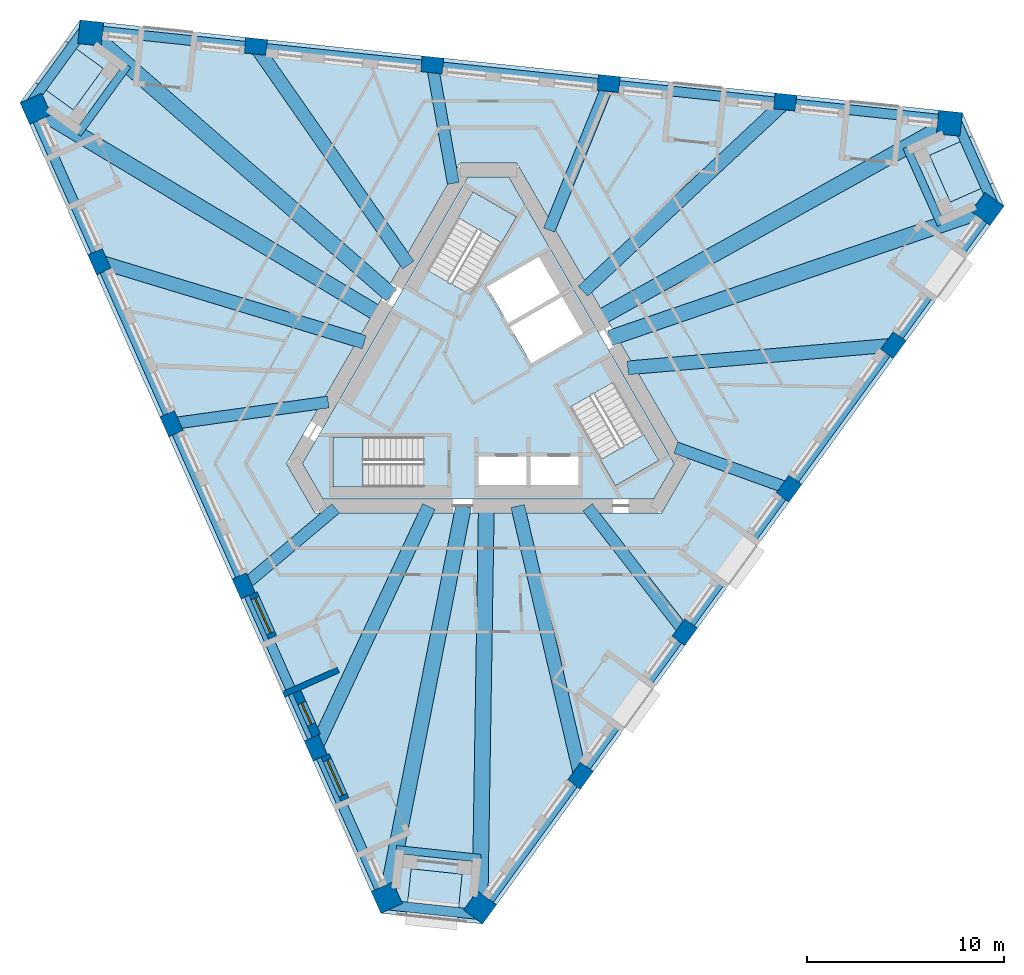
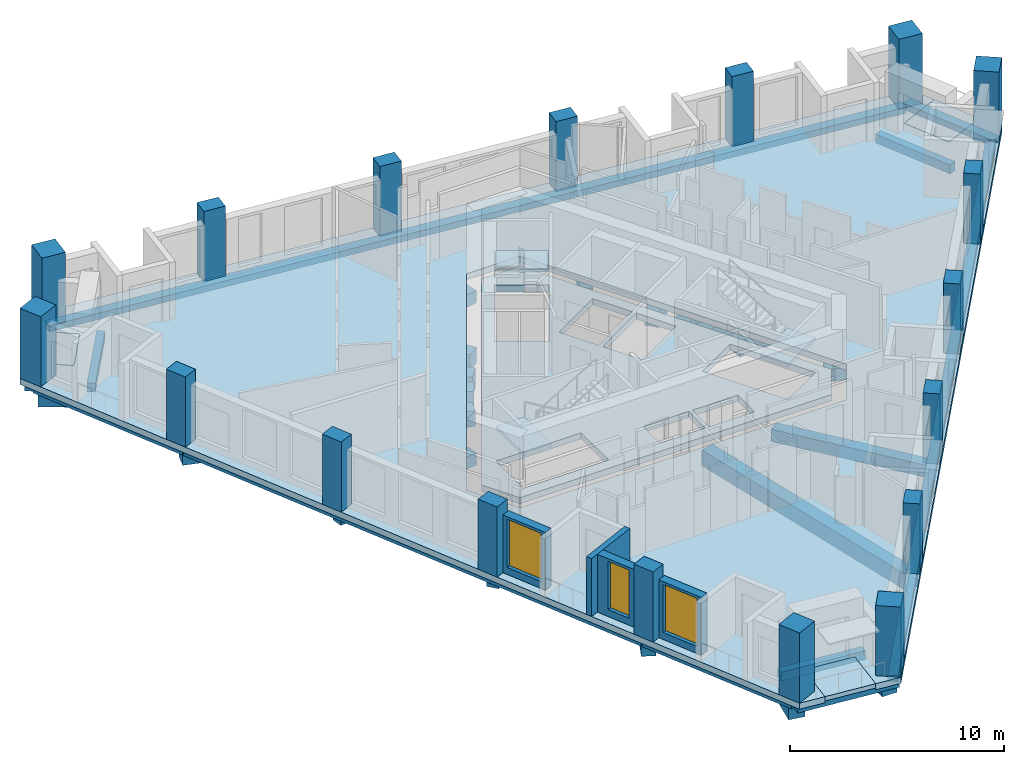
# One storey, part 1 of 11: 27 beams, 18 columns, 8 slabs, 4 walls, 3 windows, 3 openings, 3 elements without a shape of their own.
"""IFC4 building model written with IfcOpenShell, lengths in metres."""

from ifc_helpers import new_model, si_unit, direction, frame, frame_2d, origin, origin_2d, place, context, subcontext, project, spatial, polyline, rectangle, outline, extrude, material, layer, layer_set, material_profile, profile_set, type_object, element, fill, aggregate, save


model = new_model("IFC4")

# Units and contexts
model_context = context("Model", 3, precision=1e-05, world=origin(), true_north=direction((0.0, 1.0)))
body_context = subcontext(model_context, "Body", "Model", "MODEL_VIEW")
ifc_project = project(units=[si_unit("LENGTHUNIT", "METRE"), si_unit("AREAUNIT", "SQUARE_METRE"), si_unit("VOLUMEUNIT", "CUBIC_METRE"), si_unit("PLANEANGLEUNIT", "RADIAN"), si_unit("MASSUNIT", "GRAM", prefix="KILO")], contexts=[model_context])

# Site, building, storey
site_placement = place(None, origin())
site = spatial("IfcSite", under=ifc_project, at=site_placement, CompositionType="ELEMENT")
building_placement = place(site_placement, origin())
building = spatial("IfcBuilding", under=site, at=building_placement, Name="Tramontana Tower", CompositionType="ELEMENT")
storey_placement = place(building_placement, frame((0.0, 0.0, 265.199951171875)))
storey = spatial("IfcBuildingStorey", under=building, at=storey_placement, Name="L62", CompositionType="ELEMENT", Elevation=265.199951171875)

# Columns
ifc_material_1 = material(Name="Concrete 55 MPa", Category="concrete")
ifc_material_profile_1 = material_profile(ifc_material_1, rectangle(XDim=1.199951171875, YDim=1.199951171875, at=origin_2d()), Name="Mega column 1200X1200 55 MPa")
ifc_profile_set_1 = profile_set([ifc_material_profile_1], Name="Concrete 55 MPa")
column_type_1 = type_object("IfcColumnType", Name="Mega column 1200X1200 55 MPa", PredefinedType="COLUMN", material=ifc_profile_set_1)
for number, where, z_axis, x_axis, name in (
    (1, (-22.98291015625, 13.758056640625, 0.0), (0.0, 0.0, 1.0), (0.406736643076, -0.913545457643, 0.0), "Mega column C6K1 L62"),
    (2, (-5.154296875, -26.28564453125, 0.0), (0.0, 0.0, 1.0), (0.406736643076, -0.913545457643, 0.0), "Mega column C6K2 L62"),
    (3, (-0.42333984375, -26.782958984375, 0.0), (0.0, 0.0, 1.0), (0.587785252292, 0.809016994375, 0.0), "Mega column C6K3 L62"),
    (4, (25.341064453125, 8.678955078125, 0.0), (0.0, 0.0, 1.0), (0.587785252292, 0.809016994375, 0.0), "Mega column C6K4 L62"),
    (5, (23.40625, 13.024658203125, 0.0), (0.0, 0.0, 1.0), (-0.994521895368, 0.104528463268, 0.0), "Mega column C6K5 L62"),
    (6, (-20.186767578125, 17.6064453125, 0.0), (0.0, 0.0, 1.0), (-0.994521895368, 0.104528463268, 0.0), "Mega column C6K6 L62"),
):
    element("IfcColumn", number, at=place(storey_placement, frame(where, z_axis=z_axis, x_axis=x_axis)), inside=storey, type_object=column_type_1, Name=name, PredefinedType="COLUMN", context=body_context, shape_type="SweptSolid", body=[
        extrude(rectangle(XDim=1.199951171875, YDim=1.199951171875, at=origin_2d()), origin(), (0.0, 0.0, 1.0), 4.0),
    ])
ifc_material_2 = material(Name="Concrete 55 MPa", Category="concrete")
ifc_material_profile_2 = material_profile(ifc_material_2, rectangle(XDim=1.10009765625, YDim=0.800048828125, at=origin_2d()), Name="Pier column 1100X800 55 MPa")
ifc_profile_set_2 = profile_set([ifc_material_profile_2], Name="Concrete 55 MPa")
column_type_2 = type_object("IfcColumnType", Name="Pier column 1100X800 55 MPa", PredefinedType="COLUMN", material=ifc_profile_set_2)
for number, where, z_axis, x_axis, name in (
    (7, (-19.746337890625, 5.996826171875, 0.0), (0.0, 0.0, 1.0), (0.406736643076, -0.913545457643, 0.0), "Pier column C6F01 L62"),
    (8, (-16.0830078125, -2.231201171875, 0.0), (0.0, 0.0, 1.0), (0.406736643076, -0.913545457643, 0.0), "Pier column C6F02 L62"),
    (9, (-12.419677734375, -10.458984375, 0.0), (0.0, 0.0, 1.0), (0.406736643076, -0.913545457643, 0.0), "Pier column C6F03 L62"),
    (10, (-8.75634765625, -18.68701171875, 0.0), (0.0, 0.0, 1.0), (0.406736643076, -0.913545457643, 0.0), "Pier column C6F04 L62"),
    (11, (4.6796875, -20.099365234375, 0.0), (0.0, 0.0, 1.0), (0.587785252292, 0.809016994375, 0.0), "Pier column C6F05 L62"),
    (12, (9.9736328125, -12.812744140625, 0.0), (0.0, 0.0, 1.0), (0.587785252292, 0.809016994375, 0.0), "Pier column C6F06 L62"),
    (13, (15.267578125, -5.526123046875, 0.0), (0.0, 0.0, 1.0), (0.587785252292, 0.809016994375, 0.0), "Pier column C6F07 L62"),
    (14, (20.5615234375, 1.76025390625, 0.0), (0.0, 0.0, 1.0), (0.587785252292, 0.809016994375, 0.0), "Pier column C6F08 L62"),
    (15, (15.066650390625, 14.102294921875, 0.0), (0.0, 0.0, 1.0), (-0.994521895368, 0.104528463268, 0.0), "Pier column C6F09 L62"),
    (16, (6.109375, 15.043701171875, 0.0), (0.0, 0.0, 1.0), (-0.994521895368, 0.104528463268, 0.0), "Pier column C6F10 L62"),
    (17, (-2.847900390625, 15.9853515625, 0.0), (0.0, 0.0, 1.0), (-0.994521895368, 0.104528463268, 0.0), "Pier column C6F11 L62"),
    (18, (-11.805419921875, 16.9267578125, 0.0), (0.0, 0.0, 1.0), (-0.994521895368, 0.104528463268, 0.0), "Pier column C6F12 L62"),
):
    element("IfcColumn", number, at=place(storey_placement, frame(where, z_axis=z_axis, x_axis=x_axis)), inside=storey, type_object=column_type_2, Name=name, PredefinedType="COLUMN", context=body_context, shape_type="SweptSolid", body=[
        extrude(rectangle(XDim=1.10009765625, YDim=0.800048828125, at=origin_2d()), origin(), (0.0, 0.0, 1.0), 4.0),
    ])

# Beams
ifc_material_3 = material(Name="Concrete 40 MPa", Category="concrete")
ifc_material_profile_3 = material_profile(ifc_material_3, rectangle(XDim=0.5, YDim=0.35009765625, at=origin_2d()), Name="RC EDGE BEAM 500X350 40 MPa")
ifc_profile_set_3 = profile_set([ifc_material_profile_3], Name="Concrete 40 MPa")
beam_type_1 = type_object("IfcBeamType", Name="RC EDGE BEAM 500X350 40 MPa", PredefinedType="SPANDREL", material=ifc_profile_set_3)
for number, where, z_axis, x_axis, name in (
    (19, (-23.119873046875, 13.697021484375, -0.52490234375), (0.406736811644, -0.913545382591, 0.0), (0.913545382591, 0.406736811644, 0.0), "Spandrel beam S0 L62"),
    (20, (-0.302001953125, -26.87109375, -0.52490234375), (0.587782498957, 0.809018994783, 0.0), (-0.809018994783, 0.587782498957, 0.0), "Spandrel beam S1 L62"),
):
    element("IfcBeam", number, at=place(storey_placement, frame(where, z_axis=z_axis, x_axis=x_axis)), inside=storey, type_object=beam_type_1, Name=name, PredefinedType="SPANDREL", context=body_context, shape_type="SweptSolid", body=[
        extrude(rectangle(XDim=0.5, YDim=0.35009765625, at=origin_2d()), origin(), (0.0, 0.0, 1.0), 43.833251953125),
    ])
beam_1_placement = place(storey_placement, frame((23.422119140625, 13.173828125, -0.52490234375), z_axis=(-0.994522012351, 0.104527350249, 0.0), x_axis=(-0.104527350249, -0.994522012351, 0.0)))
element("IfcBeam", 21, at=beam_1_placement, inside=storey, type_object=beam_type_1, Name="Spandrel beam S2 L62", PredefinedType="SPANDREL", context=body_context, shape_type="SweptSolid", body=[
    extrude(rectangle(XDim=0.5, YDim=0.35009765625, at=origin_2d()), origin(), (0.0, 0.0, 1.0), 43.83349609375),
])
for number, where, z_axis, x_axis, name in (
    (22, (-20.356689453125, 18.00146484375, -0.52490234375), (-0.587774926142, -0.809024496662, 0.0), (0.809024496662, -0.587774926142, 0.0), "Spandrel beam K0 L62"),
    (23, (-5.411376953125, -26.630126953125, -0.52490234375), (0.994520631958, -0.104540483116, 0.0), (0.104540483116, 0.994520631958, 0.0), "Spandrel beam K1 L62"),
):
    element("IfcBeam", number, at=place(storey_placement, frame(where, z_axis=z_axis, x_axis=x_axis)), inside=storey, type_object=beam_type_1, Name=name, PredefinedType="SPANDREL", context=body_context, shape_type="SweptSolid", body=[
        extrude(rectangle(XDim=0.5, YDim=0.35009765625, at=origin_2d()), origin(), (0.0, 0.0, 1.0), 5.1962890625),
    ])
beam_2_placement = place(storey_placement, frame((25.76806640625, 8.62890625, -0.52490234375), z_axis=(-0.406713847213, 0.913555606674, 0.0), x_axis=(-0.913555606674, -0.406713847213, 0.0)))
element("IfcBeam", 24, at=beam_2_placement, inside=storey, type_object=beam_type_1, Name="Spandrel beam K2 L62", PredefinedType="SPANDREL", context=body_context, shape_type="SweptSolid", body=[
    extrude(rectangle(XDim=0.5, YDim=0.35009765625, at=origin_2d()), origin(), (0.0, 0.0, 1.0), 5.196044921875),
])
ifc_material_4 = material(Name="Concrete 40 MPa", Category="concrete")
ifc_material_profile_4 = material_profile(ifc_material_4, rectangle(XDim=0.60009765625, YDim=0.699951171875, at=origin_2d()), Name="RC GIRDER 600X700 40 MPa")
ifc_profile_set_4 = profile_set([ifc_material_profile_4], Name="Concrete 40 MPa")
beam_type_2 = type_object("IfcBeamType", Name="RC GIRDER 600X700 40 MPa", PredefinedType="BEAM", material=ifc_profile_set_4)
beam_3_placement = place(storey_placement, frame((-16.0830078125, -2.231201171875, -0.699951171875), z_axis=(0.990511014631, 0.13743336529, 0.0), x_axis=(-0.13743336529, 0.990511014631, 0.0)))
element("IfcBeam", 25, at=beam_3_placement, inside=storey, type_object=beam_type_2, Name="Radial girder C6F02 L62", PredefinedType="BEAM", context=body_context, shape_type="SweptSolid", body=[
    extrude(rectangle(XDim=0.60009765625, YDim=0.699951171875, at=origin_2d()), origin(), (0.0, 0.0, 1.0), 8.032958984375),
])
beam_4_placement = place(storey_placement, frame((-12.419677734375, -10.458984375, -0.699951171875), z_axis=(0.7648987601, 0.644150515638, 0.0), x_axis=(-0.644150515638, 0.7648987601, 0.0)))
element("IfcBeam", 26, at=beam_4_placement, inside=storey, type_object=beam_type_2, Name="Radial girder C6F03 L62", PredefinedType="BEAM", context=body_context, shape_type="SweptSolid", body=[
    extrude(rectangle(XDim=0.60009765625, YDim=0.699951171875, at=origin_2d()), origin(), (0.0, 0.0, 1.0), 6.108154296875),
])
beam_5_placement = place(storey_placement, frame((9.9736328125, -12.812744140625, -0.699951171875), z_axis=(-0.614258279955, 0.789105040857, 0.0), x_axis=(-0.789105040857, -0.614258279955, 0.0)))
element("IfcBeam", 27, at=beam_5_placement, inside=storey, type_object=beam_type_2, Name="Radial girder C6F06 L62", PredefinedType="BEAM", context=body_context, shape_type="SweptSolid", body=[
    extrude(rectangle(XDim=0.60009765625, YDim=0.699951171875, at=origin_2d()), origin(), (0.0, 0.0, 1.0), 8.032958984375),
])
beam_6_placement = place(storey_placement, frame((15.267578125, -5.526123046875, -0.699951171875), z_axis=(-0.940300037895, 0.34034664496, 0.0), x_axis=(-0.34034664496, -0.940300037895, 0.0)))
element("IfcBeam", 28, at=beam_6_placement, inside=storey, type_object=beam_type_2, Name="Radial girder C6F07 L62", PredefinedType="BEAM", context=body_context, shape_type="SweptSolid", body=[
    extrude(rectangle(XDim=0.60009765625, YDim=0.699951171875, at=origin_2d()), origin(), (0.0, 0.0, 1.0), 6.108154296875),
])
beam_7_placement = place(storey_placement, frame((6.109375, 15.043701171875, -0.699951171875), z_axis=(-0.376258836782, -0.92651459122, 0.0), x_axis=(0.92651459122, -0.376258836782, 0.0)))
element("IfcBeam", 29, at=beam_7_placement, inside=storey, type_object=beam_type_2, Name="Radial girder C6F10 L62", PredefinedType="BEAM", context=body_context, shape_type="SweptSolid", body=[
    extrude(rectangle(XDim=0.60009765625, YDim=0.699951171875, at=origin_2d()), origin(), (0.0, 0.0, 1.0), 8.032958984375),
])
beam_8_placement = place(storey_placement, frame((-2.847900390625, 15.9853515625, -0.699951171875), z_axis=(0.175388058889, -0.984499379786, 0.0), x_axis=(0.984499379786, 0.175388058889, 0.0)))
element("IfcBeam", 30, at=beam_8_placement, inside=storey, type_object=beam_type_2, Name="Radial girder C6F11 L62", PredefinedType="BEAM", context=body_context, shape_type="SweptSolid", body=[
    extrude(rectangle(XDim=0.60009765625, YDim=0.699951171875, at=origin_2d()), origin(), (0.0, 0.0, 1.0), 6.108154296875),
])
ifc_material_5 = material(Name="Concrete 40 MPa", Category="concrete")
ifc_material_profile_5 = material_profile(ifc_material_5, rectangle(XDim=0.699951171875, YDim=0.89990234375, at=origin_2d()), Name="RC GIRDER 700X900 40 MPa")
ifc_profile_set_5 = profile_set([ifc_material_profile_5], Name="Concrete 40 MPa")
beam_type_3 = type_object("IfcBeamType", Name="RC GIRDER 700X900 40 MPa", PredefinedType="BEAM", material=ifc_profile_set_5)
beam_9_placement = place(storey_placement, frame((-19.746337890625, 5.996826171875, -0.800048828125), z_axis=(0.956850397844, -0.290580997566, 0.0), x_axis=(0.290580997566, 0.956850397844, 0.0)))
element("IfcBeam", 31, at=beam_9_placement, inside=storey, type_object=beam_type_3, Name="Radial girder C6F01 L62", PredefinedType="BEAM", context=body_context, shape_type="SweptSolid", body=[
    extrude(rectangle(XDim=0.699951171875, YDim=0.89990234375, at=origin_2d()), origin(), (0.0, 0.0, 1.0), 14.05615234375),
])
beam_10_placement = place(storey_placement, frame((-8.75634765625, -18.68701171875, -0.800048828125), z_axis=(0.424308147915, 0.90551786046, 0.0), x_axis=(-0.90551786046, 0.424308147915, 0.0)))
element("IfcBeam", 32, at=beam_10_placement, inside=storey, type_object=beam_type_3, Name="Radial girder C6F04 L62", PredefinedType="BEAM", context=body_context, shape_type="SweptSolid", body=[
    extrude(rectangle(XDim=0.699951171875, YDim=0.89990234375, at=origin_2d()), origin(), (0.0, 0.0, 1.0), 13.532470703125),
])
beam_11_placement = place(storey_placement, frame((4.6796875, -20.099365234375, -0.800048828125), z_axis=(-0.22676563163, 0.973949356133, 0.0), x_axis=(-0.973949356133, -0.22676563163, 0.0)))
element("IfcBeam", 33, at=beam_11_placement, inside=storey, type_object=beam_type_3, Name="Radial girder C6F05 L62", PredefinedType="BEAM", context=body_context, shape_type="SweptSolid", body=[
    extrude(rectangle(XDim=0.699951171875, YDim=0.89990234375, at=origin_2d()), origin(), (0.0, 0.0, 1.0), 14.056396484375),
])
beam_12_placement = place(storey_placement, frame((20.5615234375, 1.760498046875, -0.800048828125), z_axis=(-0.996353926175, -0.085316198904, 0.0), x_axis=(0.085316198904, -0.996353926175, 0.0)))
element("IfcBeam", 34, at=beam_12_placement, inside=storey, type_object=beam_type_3, Name="Radial girder C6F08 L62", PredefinedType="BEAM", context=body_context, shape_type="SweptSolid", body=[
    extrude(rectangle(XDim=0.699951171875, YDim=0.89990234375, at=origin_2d()), origin(), (0.0, 0.0, 1.0), 13.532470703125),
])
beam_13_placement = place(storey_placement, frame((15.066650390625, 14.102294921875, -0.800048828125), z_axis=(-0.730089981105, -0.683351022162, 0.0), x_axis=(0.683351022162, -0.730089981105, 0.0)))
element("IfcBeam", 35, at=beam_13_placement, inside=storey, type_object=beam_type_3, Name="Radial girder C6F09 L62", PredefinedType="BEAM", context=body_context, shape_type="SweptSolid", body=[
    extrude(rectangle(XDim=0.699951171875, YDim=0.89990234375, at=origin_2d()), origin(), (0.0, 0.0, 1.0), 14.056396484375),
])
beam_14_placement = place(storey_placement, frame((-11.805419921875, 16.9267578125, -0.800048828125), z_axis=(0.5720593984, -0.820212194924, 0.0), x_axis=(0.820212194924, 0.5720593984, 0.0)))
element("IfcBeam", 36, at=beam_14_placement, inside=storey, type_object=beam_type_3, Name="Radial girder C6F12 L62", PredefinedType="BEAM", context=body_context, shape_type="SweptSolid", body=[
    extrude(rectangle(XDim=0.699951171875, YDim=0.89990234375, at=origin_2d()), origin(), (0.0, 0.0, 1.0), 13.53271484375),
])
ifc_material_6 = material(Name="Concrete 40 MPa", Category="concrete")
ifc_material_profile_6 = material_profile(ifc_material_6, rectangle(XDim=0.800048828125, YDim=1.10009765625, at=origin_2d()), Name="RC GIRDER 800X1100 40 MPa")
ifc_profile_set_6 = profile_set([ifc_material_profile_6], Name="Concrete 40 MPa")
beam_type_4 = type_object("IfcBeamType", Name="RC GIRDER 800X1100 40 MPa", PredefinedType="BEAM", material=ifc_profile_set_6)
beam_15_placement = place(storey_placement, frame((-22.98291015625, 13.758056640625, -0.89990234375), z_axis=(0.858014507948, -0.513625451229, 0.0), x_axis=(0.513625451229, 0.858014507948, 0.0)))
element("IfcBeam", 37, at=beam_15_placement, inside=storey, type_object=beam_type_4, Name="Radial girder C6K1 L62", PredefinedType="BEAM", context=body_context, shape_type="SweptSolid", body=[
    extrude(rectangle(XDim=0.800048828125, YDim=1.10009765625, at=origin_2d()), origin(), (0.0, 0.0, 1.0), 20.385498046875),
])
beam_16_placement = place(storey_placement, frame((-5.154296875, -26.28564453125, -0.89990234375), z_axis=(0.192429707164, 0.981310760056, 0.0), x_axis=(-0.981310760056, 0.192429707164, 0.0)))
element("IfcBeam", 38, at=beam_16_placement, inside=storey, type_object=beam_type_4, Name="Radial girder C6K2 L62", PredefinedType="BEAM", context=body_context, shape_type="SweptSolid", body=[
    extrude(rectangle(XDim=0.800048828125, YDim=1.10009765625, at=origin_2d()), origin(), (0.0, 0.0, 1.0), 20.2578125),
])
beam_17_placement = place(storey_placement, frame((-0.42333984375, -26.78271484375, -0.89990234375), z_axis=(0.015796706362, 0.99987522425, 0.0), x_axis=(-0.99987522425, 0.015796706362, 0.0)))
element("IfcBeam", 39, at=beam_17_placement, inside=storey, type_object=beam_type_4, Name="Radial girder C6K3 L62", PredefinedType="BEAM", context=body_context, shape_type="SweptSolid", body=[
    extrude(rectangle(XDim=0.800048828125, YDim=1.10009765625, at=origin_2d()), origin(), (0.0, 0.0, 1.0), 20.38525390625),
])
beam_18_placement = place(storey_placement, frame((25.34130859375, 8.67919921875, -0.89990234375), z_axis=(-0.946050478935, -0.324019276136, 0.0), x_axis=(0.324019276136, -0.946050478935, 0.0)))
element("IfcBeam", 40, at=beam_18_placement, inside=storey, type_object=beam_type_4, Name="Radial girder C6K4 L62", PredefinedType="BEAM", context=body_context, shape_type="SweptSolid", body=[
    extrude(rectangle(XDim=0.800048828125, YDim=1.10009765625, at=origin_2d()), origin(), (0.0, 0.0, 1.0), 20.258056640625),
])
beam_19_placement = place(storey_placement, frame((23.40625, 13.024658203125, -0.89990234375), z_axis=(-0.873818675449, -0.486251912528, 0.0), x_axis=(0.486251912528, -0.873818675449, 0.0)))
element("IfcBeam", 41, at=beam_19_placement, inside=storey, type_object=beam_type_4, Name="Radial girder C6K5 L62", PredefinedType="BEAM", context=body_context, shape_type="SweptSolid", body=[
    extrude(rectangle(XDim=0.800048828125, YDim=1.10009765625, at=origin_2d()), origin(), (0.0, 0.0, 1.0), 20.38525390625),
])
beam_20_placement = place(storey_placement, frame((-20.18701171875, 17.606689453125, -0.89990234375), z_axis=(0.753629135933, -0.657299874846, 0.0), x_axis=(0.657299874846, 0.753629135933, 0.0)))
element("IfcBeam", 42, at=beam_20_placement, inside=storey, type_object=beam_type_4, Name="Radial girder C6K6 L62", PredefinedType="BEAM", context=body_context, shape_type="SweptSolid", body=[
    extrude(rectangle(XDim=0.800048828125, YDim=1.10009765625, at=origin_2d()), origin(), (0.0, 0.0, 1.0), 20.2578125),
])
ifc_material_7 = material(Name="Concrete 40 MPa", Category="concrete")
ifc_material_profile_7 = material_profile(ifc_material_7, rectangle(XDim=0.39990234375, YDim=0.5, at=origin_2d()), Name="RC TRIM BEAM 400X500 40 MPa")
ifc_profile_set_7 = profile_set([ifc_material_profile_7], Name="Concrete 40 MPa")
beam_type_5 = type_object("IfcBeamType", Name="RC TRIM BEAM 400X500 40 MPa", PredefinedType="JOIST", material=ifc_profile_set_7)
for number, where, z_axis, x_axis, name in (
    (43, (-18.310302734375, 15.9697265625, -0.599853515625), (-0.587744325324, -0.809046727976, 0.0), (0.809046727976, -0.587744325324, 0.0), "Trimmer beam K0 L62"),
    (44, (-4.675048828125, -23.841796875, -0.599853515625), (0.994517847883, -0.104566965344, 0.0), (0.104566965344, 0.994517847883, 0.0), "Trimmer beam K1 L62"),
    (45, (22.9853515625, 7.872314453125, -0.599853515625), (-0.406773611719, 0.913528997246, 0.0), (-0.913528997246, -0.406773611719, 0.0), "Trimmer beam K2 L62"),
):
    element("IfcBeam", number, at=place(storey_placement, frame(where, z_axis=z_axis, x_axis=x_axis)), inside=storey, type_object=beam_type_5, Name=name, PredefinedType="JOIST", context=body_context, shape_type="SweptSolid", body=[
        extrude(rectangle(XDim=0.39990234375, YDim=0.5, at=origin_2d()), origin(), (0.0, 0.0, 1.0), 4.314697265625),
    ])

# Slabs
ifc_material_8 = material(Name="Precast concrete 50 MPa", Category="concrete")
ifc_layer_1 = layer(ifc_material_8, 0.25)
ifc_layer_set_1 = layer_set([ifc_layer_1], Name="LT1 Loggia floor tray 250")
slab_type_1 = type_object("IfcSlabType", Name="LT1 Loggia floor tray 250", PredefinedType="FLOOR", material=ifc_layer_set_1)
slab_1_placement = place(storey_placement, frame((0.0, 0.0, -0.25)))
element("IfcSlab", 46, at=slab_1_placement, inside=storey, type_object=slab_type_1, Name="Corner loggia floor L62 K60", PredefinedType="FLOOR", context=body_context, shape_type="SweptSolid", body=[
    extrude(outline(polyline([(-21.48388671875, 17.2158203125), (-19.542236328125, 15.80517578125), (-21.070556640625, 13.70166015625), (-23.01220703125, 15.1123046875), (-21.48388671875, 17.2158203125)])), origin(), (0.0, 0.0, 1.0), 0.25),
])
slab_2_placement = place(storey_placement, frame((0.0, 0.0, -0.25)))
element("IfcSlab", 47, at=slab_2_placement, inside=storey, type_object=slab_type_1, Name="Corner loggia floor L62 K61", PredefinedType="FLOOR", context=body_context, shape_type="SweptSolid", body=[
    extrude(outline(polyline([(-4.16748046875, -27.21337890625), (-3.91650390625, -24.82666015625), (-1.330810546875, -25.098388671875), (-1.58154296875, -27.4853515625), (-4.16748046875, -27.21337890625)])), origin(), (0.0, 0.0, 1.0), 0.25),
])
slab_3_placement = place(storey_placement, frame((0.0, 0.0, -0.25)))
element("IfcSlab", 48, at=slab_3_placement, inside=storey, type_object=slab_type_1, Name="Corner loggia floor L62 K62", PredefinedType="FLOOR", context=body_context, shape_type="SweptSolid", body=[
    extrude(outline(polyline([(25.6513671875, 9.99755859375), (23.458740234375, 9.021484375), (22.401123046875, 11.396728515625), (24.59375, 12.372802734375), (25.6513671875, 9.99755859375)])), origin(), (0.0, 0.0, 1.0), 0.25),
])
ifc_material_9 = material(Name="Concrete 40 MPa", Category="concrete")
ifc_layer_2 = layer(ifc_material_9, 0.35009765625)
ifc_layer_set_2 = layer_set([ifc_layer_2], Name="PT FLAT SLAB 350 40 MPa")
slab_type_2 = type_object("IfcSlabType", Name="PT FLAT SLAB 350 40 MPa", PredefinedType="FLOOR", material=ifc_layer_set_2)
slab_4_placement = place(storey_placement, frame((0.0, 0.0, -0.349853515625)))
element("IfcSlab", 49, at=slab_4_placement, inside=storey, type_object=slab_type_2, Name="Floor slab L62", PredefinedType="FLOOR", context=body_context, shape_type="SweptSolid", body=[
    extrude(outline(polyline([(24.59375, 12.372802734375), (22.401123046875, 11.396728515625), (23.458740234375, 9.021484375), (25.6513671875, 9.99755859375), (26.17919921875, 8.811767578125), (-0.290771484375, -27.620849609375), (-1.581787109375, -27.485107421875), (-1.330810546875, -25.098388671875), (-3.91650390625, -24.82666015625), (-4.16748046875, -27.21337890625), (-5.45849609375, -27.077880859375), (-23.775146484375, 14.062255859375), (-23.01220703125, 15.1123046875), (-21.0703125, 13.70166015625), (-19.542236328125, 15.80517578125), (-21.48388671875, 17.2158203125), (-20.720947265625, 18.26611328125), (24.06591796875, 13.55859375), (24.59375, 12.372802734375)]), holes=[polyline([(-10.248046875, -4.25), (-8.8046875, -6.75), (8.8046875, -6.75), (10.248046875, -4.25), (1.443359375, 11.0), (-1.443359375, 11.0), (-10.248046875, -4.25)])]), origin(), (0.0, 0.0, 1.0), 0.349853515625),
])
slab_5_placement = place(storey_placement, frame((0.0, 0.0, -0.349853515625)))
element("IfcSlab", 50, at=slab_5_placement, inside=storey, type_object=slab_type_2, Name="Core floor slab L62", PredefinedType="FLOOR", context=body_context, shape_type="SweptSolid", body=[
    extrude(outline(polyline([(9.439697265625, -4.25), (8.400390625, -6.050048828125), (-8.400390625, -6.050048828125), (-9.439697265625, -4.25), (-1.039306640625, 10.300048828125), (1.039306640625, 10.300048828125), (9.439697265625, -4.25)]), holes=[polyline([(8.659912109375, -4.099365234375), (6.35986328125, -0.115478515625), (4.151611328125, -1.390625), (6.451416015625, -5.374267578125), (8.659912109375, -4.099365234375)]), polyline([(3.829833984375, 4.2666015625), (1.101806640625, 2.69140625), (2.177001953125, 0.82958984375), (4.90478515625, 2.404541015625), (3.829833984375, 4.2666015625)]), polyline([(4.590087890625, -3.89990234375), (2.139892578125, -3.89990234375), (2.139892578125, -5.449951171875), (4.590087890625, -5.449951171875), (4.590087890625, -3.89990234375)]), polyline([(2.65478515625, 6.3017578125), (-0.072998046875, 4.726806640625), (1.001953125, 2.86474609375), (3.729736328125, 4.439697265625), (2.65478515625, 6.3017578125)]), polyline([(1.93994140625, -5.449951171875), (1.93994140625, -3.89990234375), (-0.510009765625, -3.89990234375), (-0.510009765625, -5.449951171875), (1.93994140625, -5.449951171875)]), polyline([(-0.77978515625, 9.54931640625), (-3.079833984375, 5.565673828125), (-0.87158203125, 4.29052734375), (1.428466796875, 8.2744140625), (-0.77978515625, 9.54931640625)]), polyline([(-7.8798828125, -5.449951171875), (-3.280029296875, -5.449951171875), (-3.280029296875, -2.89990234375), (-7.8798828125, -2.89990234375), (-7.8798828125, -5.449951171875)])]), origin(), (0.0, 0.0, 1.0), 0.349853515625),
])

# Stair, slab
ifc_material_10 = material(Name="Concrete 40 MPa", Category="concrete")
stair_type = type_object("IfcStairType", Name="EXIT STAIR 24 RISERS", PredefinedType="HALF_TURN_STAIR", material=ifc_material_10)
stair_1_placement = place(storey_placement, origin())
stair_1 = element("IfcStair", 51, at=stair_1_placement, inside=storey, type_object=stair_type, Name="L62 Exit stair ST1", PredefinedType="HALF_TURN_STAIR")
ifc_material_11 = material(Name="Concrete 40 MPa", Category="concrete")
ifc_layer_3 = layer(ifc_material_11, 0.199951171875)
ifc_layer_set_3 = layer_set([ifc_layer_3], Name="STAIR LANDING 200")
slab_type_3 = type_object("IfcSlabType", Name="STAIR LANDING 200", PredefinedType="LANDING", material=ifc_layer_set_3)
slab_6_placement = place(storey_placement, frame((0.0, 0.0, 1.800048828125)))
slab_6 = element("IfcSlab", 52, at=slab_6_placement, type_object=slab_type_3, Name="ST1 landing 1", PredefinedType="LANDING", context=body_context, shape_type="SweptSolid", body=[
    extrude(outline(polyline([(0.66845703125, 6.9580078125), (1.428466796875, 8.274169921875), (-0.77978515625, 9.54931640625), (-1.539794921875, 8.23291015625), (0.66845703125, 6.9580078125)])), origin(), (0.0, 0.0, 1.0), 0.199951171875),
])
aggregate(stair_1, [slab_6])

stair_2_placement = place(storey_placement, origin())
stair_2 = element("IfcStair", 53, at=stair_2_placement, inside=storey, type_object=stair_type, Name="L62 Exit stair ST2", PredefinedType="HALF_TURN_STAIR")
slab_7_placement = place(storey_placement, frame((0.0, 0.0, 1.800048828125)))
slab_7 = element("IfcSlab", 54, at=slab_7_placement, type_object=slab_type_3, Name="ST2 landing 1", PredefinedType="LANDING", context=body_context, shape_type="SweptSolid", body=[
    extrude(outline(polyline([(-6.360107421875, -2.89990234375), (-7.8798828125, -2.89990234375), (-7.8798828125, -5.449951171875), (-6.360107421875, -5.449951171875), (-6.360107421875, -2.89990234375)])), origin(), (0.0, 0.0, 1.0), 0.199951171875),
])
aggregate(stair_2, [slab_7])

stair_3_placement = place(storey_placement, origin())
stair_3 = element("IfcStair", 55, at=stair_3_placement, inside=storey, type_object=stair_type, Name="L62 Exit stair ST3", PredefinedType="HALF_TURN_STAIR")
slab_8_placement = place(storey_placement, frame((0.0, 0.0, 1.800048828125)))
slab_8 = element("IfcSlab", 56, at=slab_8_placement, type_object=slab_type_3, Name="ST3 landing 1", PredefinedType="LANDING", context=body_context, shape_type="SweptSolid", body=[
    extrude(outline(polyline([(5.69140625, -4.057861328125), (6.451416015625, -5.374267578125), (8.659912109375, -4.099365234375), (7.89990234375, -2.782958984375), (5.69140625, -4.057861328125)])), origin(), (0.0, 0.0, 1.0), 0.199951171875),
])
aggregate(stair_3, [slab_8])

# Wall, opening, window
ifc_material_12 = material(Name="Precast concrete 60 MPa", Category="concrete")
ifc_layer_4 = layer(ifc_material_12, 0.449951171875)
ifc_layer_set_4 = layer_set([ifc_layer_4], Name="Precast concrete 60 MPa, 450 mm")
wall_type_1 = type_object("IfcWallType", Name="EW1 Stone-faced precast wall 450", PredefinedType="SOLIDWALL", material=ifc_layer_set_4)
wall_1_placement = place(storey_placement, frame((-11.94482421875, -10.849609375, 0.0), z_axis=(0.0, 0.0, 1.0), x_axis=(0.406784963852, -0.913523942316, 0.0)))
wall_1 = element("IfcWall", 57, at=wall_1_placement, inside=storey, type_object=wall_type_1, Name="External wall L62 face 0 bay 4", PredefinedType="SOLIDWALL", context=body_context, shape_type="SweptSolid", body=[
    extrude(rectangle(XDim=2.452392578125, YDim=0.449951171875, at=frame_2d((1.22607421875, 0.0))), origin(), (0.0, 0.0, 1.0), 3.300048828125),
])
opening_1_placement = place(wall_1_placement, frame((0.251220703125, 0.0, 0.39990234375)))
opening_1 = element("IfcOpeningElement", 58, at=opening_1_placement, cuts=wall_1, Name="Opening M3", PredefinedType="OPENING", context=body_context, shape_type="SweptSolid", body=[
    extrude(rectangle(XDim=1.949951171875, YDim=2.75, at=frame_2d((0.97509765625, 1.375))), frame((0.0, 0.23486328125, 0.0), z_axis=(0.0, -1.0, 0.0), x_axis=(1.0, 0.0, 0.0)), (0.0, 0.0, 1.0), 0.469970703125),
])
ifc_material_13 = material(Name="Aluminum frame, double glazing unit", Category="aluminium")
window_type_1 = type_object("IfcWindowType", Name="M3 Window 1.95 x 2.75", PartitioningType="SINGLE_PANEL", PredefinedType="WINDOW", material=ifc_material_13)
window_1_placement = place(opening_1_placement, origin())
window_1 = element("IfcWindow", 59, at=window_1_placement, inside=storey, type_object=window_type_1, Name="Window M3 L62 face 0 module 10", OverallHeight=2.75, OverallWidth=1.949951171875, PartitioningType="SINGLE_PANEL", PredefinedType="WINDOW", context=body_context, shape_type="SweptSolid", body=[
    extrude(rectangle(XDim=1.949951171875, YDim=2.75, at=frame_2d((0.97509765625, 1.375))), frame((0.0, 0.030029296875, 0.0), z_axis=(0.0, -1.0, 0.0), x_axis=(1.0, 0.0, 0.0)), (0.0, 0.0, 1.0), 0.06005859375),
])
fill(opening_1, window_1)

wall_2_placement = place(storey_placement, frame((-9.72607421875, -15.83251953125, 0.0), z_axis=(0.0, 0.0, 1.0), x_axis=(0.406701876909, -0.913560935745, 0.0)))
wall_2 = element("IfcWall", 60, at=wall_2_placement, inside=storey, type_object=wall_type_1, Name="External wall L62 face 0 bay 4", PredefinedType="SOLIDWALL", context=body_context, shape_type="SweptSolid", body=[
    extrude(rectangle(XDim=2.4521484375, YDim=0.449951171875, at=frame_2d((1.22607421875, 0.0))), origin(), (0.0, 0.0, 1.0), 3.300048828125),
])
opening_2_placement = place(wall_2_placement, frame((0.626220703125, 0.0, 0.39990234375)))
opening_2 = element("IfcOpeningElement", 61, at=opening_2_placement, cuts=wall_2, Name="Opening N3", PredefinedType="OPENING", context=body_context, shape_type="SweptSolid", body=[
    extrude(rectangle(XDim=1.199951171875, YDim=2.75, at=frame_2d((0.60009765625, 1.375))), frame((0.0, 0.23486328125, 0.0), z_axis=(0.0, -1.0, 0.0), x_axis=(1.0, 0.0, 0.0)), (0.0, 0.0, 1.0), 0.469970703125),
])
ifc_material_14 = material(Name="Aluminum frame, double glazing unit", Category="aluminium")
window_type_2 = type_object("IfcWindowType", Name="N3 Window 1.2 x 2.75", PartitioningType="SINGLE_PANEL", PredefinedType="WINDOW", material=ifc_material_14)
window_2_placement = place(opening_2_placement, origin())
window_2 = element("IfcWindow", 62, at=window_2_placement, inside=storey, type_object=window_type_2, Name="Window N3 L62 face 0 module 12", OverallHeight=2.75, OverallWidth=1.199951171875, PartitioningType="SINGLE_PANEL", PredefinedType="WINDOW", context=body_context, shape_type="SweptSolid", body=[
    extrude(rectangle(XDim=1.199951171875, YDim=2.75, at=frame_2d((0.60009765625, 1.375))), frame((0.0, 0.030029296875, 0.0), z_axis=(0.0, -1.0, 0.0), x_axis=(1.0, 0.0, 0.0)), (0.0, 0.0, 1.0), 0.06005859375),
])
fill(opening_2, window_2)

wall_3_placement = place(storey_placement, frame((-8.28125, -19.07763671875, 0.0), z_axis=(0.0, 0.0, 1.0), x_axis=(0.406701876909, -0.913560935745, 0.0)))
wall_3 = element("IfcWall", 63, at=wall_3_placement, inside=storey, type_object=wall_type_1, Name="External wall L62 face 0 bay 5", PredefinedType="SOLIDWALL", context=body_context, shape_type="SweptSolid", body=[
    extrude(rectangle(XDim=2.4521484375, YDim=0.449951171875, at=frame_2d((1.22607421875, 0.0))), origin(), (0.0, 0.0, 1.0), 3.300048828125),
])
opening_3_placement = place(wall_3_placement, frame((0.251220703125, 0.0, 0.39990234375)))
opening_3 = element("IfcOpeningElement", 64, at=opening_3_placement, cuts=wall_3, Name="Opening M3", PredefinedType="OPENING", context=body_context, shape_type="SweptSolid", body=[
    extrude(rectangle(XDim=1.949951171875, YDim=2.75, at=frame_2d((0.97509765625, 1.375))), frame((0.0, 0.23486328125, 0.0), z_axis=(0.0, -1.0, 0.0), x_axis=(1.0, 0.0, 0.0)), (0.0, 0.0, 1.0), 0.469970703125),
])
window_3_placement = place(opening_3_placement, origin())
window_3 = element("IfcWindow", 65, at=window_3_placement, inside=storey, type_object=window_type_1, Name="Window M3 L62 face 0 module 13", OverallHeight=2.75, OverallWidth=1.949951171875, PartitioningType="SINGLE_PANEL", PredefinedType="WINDOW", context=body_context, shape_type="SweptSolid", body=[
    extrude(rectangle(XDim=1.949951171875, YDim=2.75, at=frame_2d((0.97509765625, 1.375))), frame((0.0, 0.030029296875, 0.0), z_axis=(0.0, -1.0, 0.0), x_axis=(1.0, 0.0, 0.0)), (0.0, 0.0, 1.0), 0.06005859375),
])
fill(opening_3, window_3)

# Wall
ifc_material_15 = material(Name="Precast concrete 60 MPa", Category="concrete")
ifc_layer_5 = layer(ifc_material_15, 0.300048828125)
ifc_layer_set_5 = layer_set([ifc_layer_5], Name="LW1 Stone-faced loggia wall 300")
wall_type_2 = type_object("IfcWallType", Name="LW1 Stone-faced loggia wall 300", PredefinedType="SOLIDWALL", material=ifc_layer_set_5)
wall_4_placement = place(storey_placement, frame((-10.40380859375, -15.969970703125, 0.0), z_axis=(0.0, 0.0, 1.0), x_axis=(0.913557205168, 0.406710256677, 0.0)))
element("IfcWall", 66, at=wall_4_placement, inside=storey, type_object=wall_type_2, Name="Loggia return L62 G6S0.10b", PredefinedType="SOLIDWALL", context=body_context, shape_type="SweptSolid", body=[
    extrude(rectangle(XDim=3.050048828125, YDim=0.300048828125, at=frame_2d((1.52490234375, 0.0))), origin(), (0.0, 0.0, 1.0), 3.300048828125),
])

save(model, "model.ifc")
